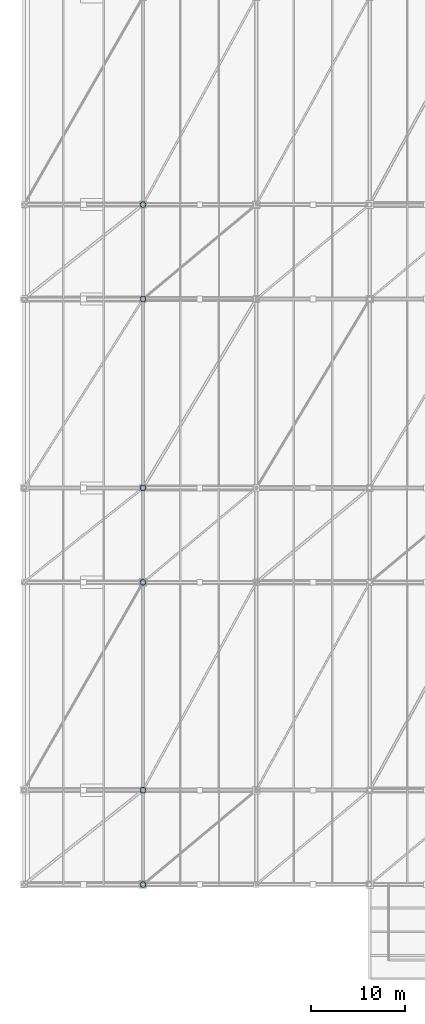
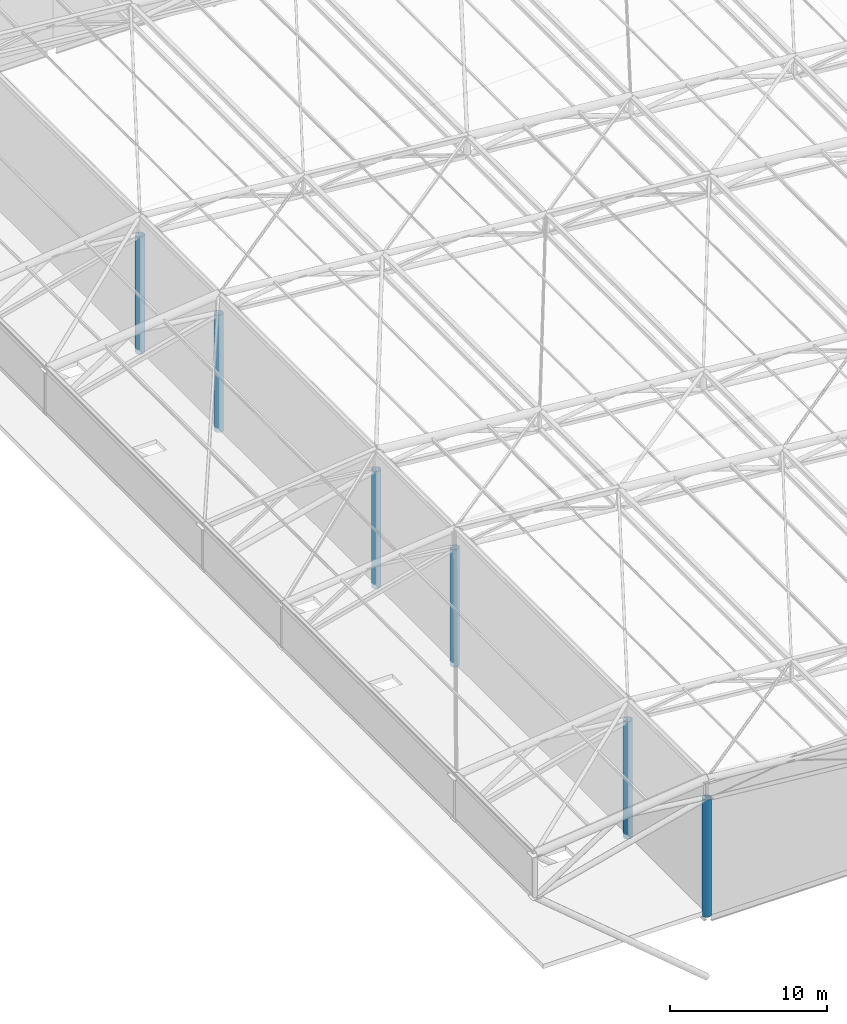
# One storey, part 1 of 44: 6 columns.
"""IFC4 building model written with IfcOpenShell, lengths in metres."""

from ifc_helpers import new_model, si_unit, direction, frame, origin, origin_2d, place, context, subcontext, project, spatial, hollow_circle, extrude, material, material_profile, profile_set, type_object, element, save


model = new_model("IFC4")

# Units and contexts
model_context = context("Model", 3, precision=1e-05, world=origin(), true_north=direction((0.0, 1.0)))
body_context = subcontext(model_context, "Body", "Model", "MODEL_VIEW")
ifc_project = project(units=[si_unit("LENGTHUNIT", "METRE"), si_unit("AREAUNIT", "SQUARE_METRE"), si_unit("VOLUMEUNIT", "CUBIC_METRE"), si_unit("PLANEANGLEUNIT", "RADIAN"), si_unit("MASSUNIT", "GRAM", prefix="KILO")], contexts=[model_context])

# Site, building, storey
site_placement = place(None, origin())
site = spatial("IfcSite", under=ifc_project, at=site_placement, CompositionType="ELEMENT")
building_placement = place(site_placement, origin())
building = spatial("IfcBuilding", under=site, at=building_placement, Name="Brinegate Civic Arena", CompositionType="ELEMENT")
storey_placement = place(building_placement, frame((0.0, 0.0, 29.39990234375)))
storey = spatial("IfcBuildingStorey", under=building, at=storey_placement, Name="RF", CompositionType="ELEMENT", Elevation=29.39990234375)

# Columns
ifc_material = material(Name="Steel S355", Category="steel")
ifc_material_profile = material_profile(ifc_material, hollow_circle(Radius=0.304931640625, WallThickness=0.02490234375, at=origin_2d()), Name="CHS610X25")
ifc_profile_set = profile_set([ifc_material_profile], Name="Steel S355")
column_type = type_object("IfcColumnType", Name="COL-SC05-CHS610", PredefinedType="COLUMN", material=ifc_profile_set)
for number, where, z_axis, x_axis, name in (
    (1, (60.0, 10.0, 0.0), (0.0, 0.0, 1.0), (1.0, 0.0, 0.0), "Space Frame West Drum Column W-01-RF"),
    (2, (60.0, 20.0, 0.0), (0.0, 0.0, 1.0), (1.0, 0.0, 0.0), "Space Frame West Drum Column W-02-RF"),
    (3, (60.0, 42.0, 0.0), (0.0, 0.0, 1.0), (1.0, 0.0, 0.0), "Space Frame West Drum Column W-03-RF"),
    (4, (60.0, 52.0, 0.0), (0.0, 0.0, 1.0), (1.0, 0.0, 0.0), "Space Frame West Drum Column W-04-RF"),
    (5, (60.0, 72.0, 0.0), (0.0, 0.0, 1.0), (1.0, 0.0, 0.0), "Space Frame West Drum Column W-05-RF"),
    (6, (60.0, 82.0, 0.0), (0.0, 0.0, 1.0), (1.0, 0.0, 0.0), "Space Frame West Drum Column W-06-RF"),
):
    element("IfcColumn", number, at=place(storey_placement, frame(where, z_axis=z_axis, x_axis=x_axis)), inside=storey, type_object=column_type, Name=name, PredefinedType="COLUMN", context=body_context, shape_type="SweptSolid", body=[
        extrude(hollow_circle(Radius=0.304931640625, WallThickness=0.02490234375, at=origin_2d()), origin(), (0.0, 0.0, 1.0), 9.10009765625),
    ])

save(model, "model.ifc")
